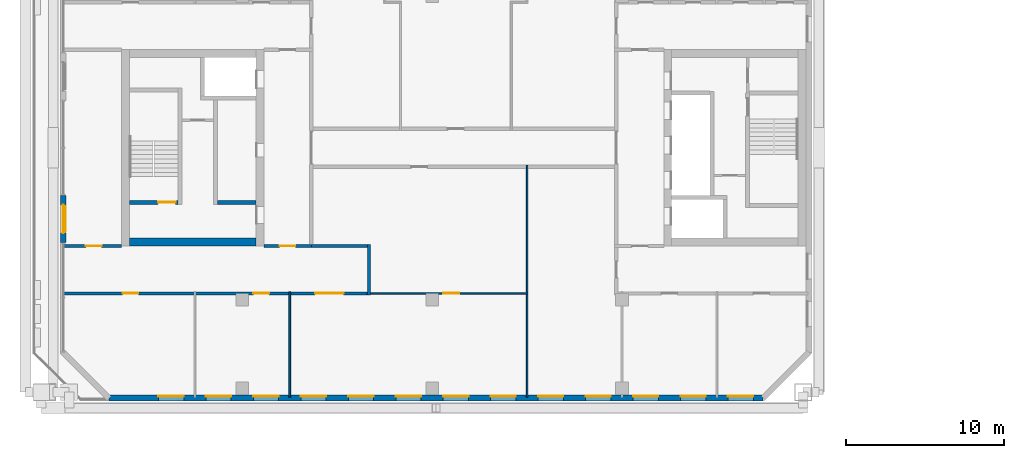
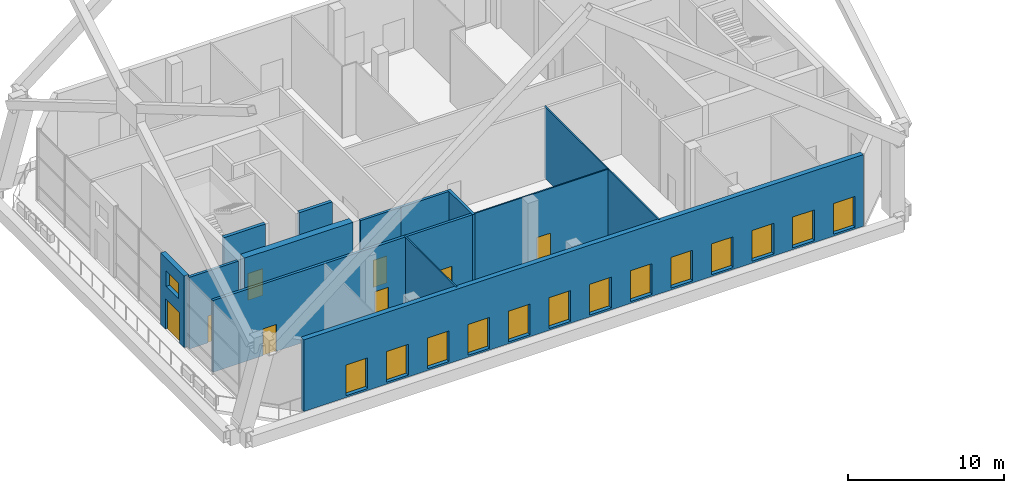
# One storey, part 9 of 20: 14 windows, 13 walls, 8 doors, 22 openings.
"""IFC4 building model written with IfcOpenShell, lengths in metres."""

from ifc_helpers import new_model, si_unit, direction, frame, frame_2d, origin, place, context, subcontext, project, spatial, rectangle, extrude, material, layer, layer_set, type_object, element, fill, save


model = new_model("IFC4")

# Units and contexts
model_context = context("Model", 3, precision=1e-05, world=origin(), true_north=direction((0.0, 1.0)))
body_context = subcontext(model_context, "Body", "Model", "MODEL_VIEW")
ifc_project = project(units=[si_unit("LENGTHUNIT", "METRE"), si_unit("AREAUNIT", "SQUARE_METRE"), si_unit("VOLUMEUNIT", "CUBIC_METRE"), si_unit("PLANEANGLEUNIT", "RADIAN"), si_unit("MASSUNIT", "GRAM", prefix="KILO")], contexts=[model_context])

# Site, building, storey
site_placement = place(None, origin())
site = spatial("IfcSite", under=ifc_project, at=site_placement, CompositionType="ELEMENT")
building_placement = place(site_placement, origin())
building = spatial("IfcBuilding", under=site, at=building_placement, Name="Tuart Gate Housing", CompositionType="ELEMENT")
storey_placement = place(building_placement, frame((0.0, 0.0, 142.300048828125)))
storey = spatial("IfcBuildingStorey", under=building, at=storey_placement, Name="L40", CompositionType="ELEMENT", Elevation=142.300048828125)

# Wall, openings, windows
ifc_material_1 = material(Name="Brick", Category="masonry")
ifc_layer_1 = layer(ifc_material_1, 0.360107421875)
ifc_layer_set_1 = layer_set([ifc_layer_1], Name="Brick pier and spandrel wall 360")
wall_type_1 = type_object("IfcWallType", Name="Brick pier and spandrel wall 360", PredefinedType="STANDARD", material=ifc_layer_set_1)
wall_1_placement = place(storey_placement, frame((31.57470703125, 54.179931640625, 0.0), z_axis=(0.0, 0.0, 1.0), x_axis=(1.0, 0.0, 0.0)))
wall_1 = element("IfcWall", 1, at=wall_1_placement, inside=storey, type_object=wall_type_1, Name="External wall A-S L40", PredefinedType="STANDARD", context=body_context, shape_type="SweptSolid", body=[
    extrude(rectangle(XDim=41.350830078125, YDim=0.360107421875, at=frame_2d((20.67529296875, 0.0))), origin(), (0.0, 0.0, 1.0), 5.599853515625),
])
opening_1_placement = place(wall_1_placement, frame((3.12548828125, 0.0, 0.14990234375)))
opening_1 = element("IfcOpeningElement", 2, at=opening_1_placement, cuts=wall_1, Name="Opening W2", PredefinedType="OPENING", context=body_context, shape_type="SweptSolid", body=[
    extrude(rectangle(XDim=1.60009765625, YDim=2.39990234375, at=frame_2d((0.800048828125, 1.199951171875))), frame((0.0, 0.18994140625, 0.0), z_axis=(0.0, -1.0, 0.0), x_axis=(1.0, 0.0, 0.0)), (0.0, 0.0, 1.0), 0.380126953125),
])
opening_2_placement = place(wall_1_placement, frame((6.12548828125, 0.0, 0.14990234375)))
opening_2 = element("IfcOpeningElement", 3, at=opening_2_placement, cuts=wall_1, Name="Opening W2", PredefinedType="OPENING", context=body_context, shape_type="SweptSolid", body=[
    extrude(rectangle(XDim=1.60009765625, YDim=2.39990234375, at=frame_2d((0.800048828125, 1.199951171875))), frame((0.0, 0.18994140625, 0.0), z_axis=(0.0, -1.0, 0.0), x_axis=(1.0, 0.0, 0.0)), (0.0, 0.0, 1.0), 0.380126953125),
])
opening_3_placement = place(wall_1_placement, frame((9.12548828125, 0.0, 0.14990234375)))
opening_3 = element("IfcOpeningElement", 4, at=opening_3_placement, cuts=wall_1, Name="Opening W2", PredefinedType="OPENING", context=body_context, shape_type="SweptSolid", body=[
    extrude(rectangle(XDim=1.60009765625, YDim=2.39990234375, at=frame_2d((0.800048828125, 1.199951171875))), frame((0.0, 0.18994140625, 0.0), z_axis=(0.0, -1.0, 0.0), x_axis=(1.0, 0.0, 0.0)), (0.0, 0.0, 1.0), 0.380126953125),
])
opening_4_placement = place(wall_1_placement, frame((12.12548828125, 0.0, 0.14990234375)))
opening_4 = element("IfcOpeningElement", 5, at=opening_4_placement, cuts=wall_1, Name="Opening W2", PredefinedType="OPENING", context=body_context, shape_type="SweptSolid", body=[
    extrude(rectangle(XDim=1.60009765625, YDim=2.39990234375, at=frame_2d((0.800048828125, 1.199951171875))), frame((0.0, 0.18994140625, 0.0), z_axis=(0.0, -1.0, 0.0), x_axis=(1.0, 0.0, 0.0)), (0.0, 0.0, 1.0), 0.380126953125),
])
opening_5_placement = place(wall_1_placement, frame((15.12548828125, 0.0, 0.14990234375)))
opening_5 = element("IfcOpeningElement", 6, at=opening_5_placement, cuts=wall_1, Name="Opening W2", PredefinedType="OPENING", context=body_context, shape_type="SweptSolid", body=[
    extrude(rectangle(XDim=1.60009765625, YDim=2.39990234375, at=frame_2d((0.800048828125, 1.199951171875))), frame((0.0, 0.18994140625, 0.0), z_axis=(0.0, -1.0, 0.0), x_axis=(1.0, 0.0, 0.0)), (0.0, 0.0, 1.0), 0.380126953125),
])
opening_6_placement = place(wall_1_placement, frame((18.12548828125, 0.0, 0.14990234375)))
opening_6 = element("IfcOpeningElement", 7, at=opening_6_placement, cuts=wall_1, Name="Opening W2", PredefinedType="OPENING", context=body_context, shape_type="SweptSolid", body=[
    extrude(rectangle(XDim=1.60009765625, YDim=2.39990234375, at=frame_2d((0.800048828125, 1.199951171875))), frame((0.0, 0.18994140625, 0.0), z_axis=(0.0, -1.0, 0.0), x_axis=(1.0, 0.0, 0.0)), (0.0, 0.0, 1.0), 0.380126953125),
])
opening_7_placement = place(wall_1_placement, frame((21.12548828125, 0.0, 0.14990234375)))
opening_7 = element("IfcOpeningElement", 8, at=opening_7_placement, cuts=wall_1, Name="Opening W2", PredefinedType="OPENING", context=body_context, shape_type="SweptSolid", body=[
    extrude(rectangle(XDim=1.60009765625, YDim=2.39990234375, at=frame_2d((0.800048828125, 1.199951171875))), frame((0.0, 0.18994140625, 0.0), z_axis=(0.0, -1.0, 0.0), x_axis=(1.0, 0.0, 0.0)), (0.0, 0.0, 1.0), 0.380126953125),
])
opening_8_placement = place(wall_1_placement, frame((24.12548828125, 0.0, 0.14990234375)))
opening_8 = element("IfcOpeningElement", 9, at=opening_8_placement, cuts=wall_1, Name="Opening W2", PredefinedType="OPENING", context=body_context, shape_type="SweptSolid", body=[
    extrude(rectangle(XDim=1.60009765625, YDim=2.39990234375, at=frame_2d((0.800048828125, 1.199951171875))), frame((0.0, 0.18994140625, 0.0), z_axis=(0.0, -1.0, 0.0), x_axis=(1.0, 0.0, 0.0)), (0.0, 0.0, 1.0), 0.380126953125),
])
opening_9_placement = place(wall_1_placement, frame((27.12548828125, 0.0, 0.14990234375)))
opening_9 = element("IfcOpeningElement", 10, at=opening_9_placement, cuts=wall_1, Name="Opening W2", PredefinedType="OPENING", context=body_context, shape_type="SweptSolid", body=[
    extrude(rectangle(XDim=1.60009765625, YDim=2.39990234375, at=frame_2d((0.800048828125, 1.199951171875))), frame((0.0, 0.18994140625, 0.0), z_axis=(0.0, -1.0, 0.0), x_axis=(1.0, 0.0, 0.0)), (0.0, 0.0, 1.0), 0.380126953125),
])
opening_10_placement = place(wall_1_placement, frame((30.12548828125, 0.0, 0.14990234375)))
opening_10 = element("IfcOpeningElement", 11, at=opening_10_placement, cuts=wall_1, Name="Opening W2", PredefinedType="OPENING", context=body_context, shape_type="SweptSolid", body=[
    extrude(rectangle(XDim=1.60009765625, YDim=2.39990234375, at=frame_2d((0.800048828125, 1.199951171875))), frame((0.0, 0.18994140625, 0.0), z_axis=(0.0, -1.0, 0.0), x_axis=(1.0, 0.0, 0.0)), (0.0, 0.0, 1.0), 0.380126953125),
])
opening_11_placement = place(wall_1_placement, frame((33.12548828125, 0.0, 0.14990234375)))
opening_11 = element("IfcOpeningElement", 12, at=opening_11_placement, cuts=wall_1, Name="Opening W2", PredefinedType="OPENING", context=body_context, shape_type="SweptSolid", body=[
    extrude(rectangle(XDim=1.60009765625, YDim=2.39990234375, at=frame_2d((0.800048828125, 1.199951171875))), frame((0.0, 0.18994140625, 0.0), z_axis=(0.0, -1.0, 0.0), x_axis=(1.0, 0.0, 0.0)), (0.0, 0.0, 1.0), 0.380126953125),
])
opening_12_placement = place(wall_1_placement, frame((36.12548828125, 0.0, 0.14990234375)))
opening_12 = element("IfcOpeningElement", 13, at=opening_12_placement, cuts=wall_1, Name="Opening W2", PredefinedType="OPENING", context=body_context, shape_type="SweptSolid", body=[
    extrude(rectangle(XDim=1.60009765625, YDim=2.39990234375, at=frame_2d((0.800048828125, 1.199951171875))), frame((0.0, 0.18994140625, 0.0), z_axis=(0.0, -1.0, 0.0), x_axis=(1.0, 0.0, 0.0)), (0.0, 0.0, 1.0), 0.380126953125),
])
opening_13_placement = place(wall_1_placement, frame((39.12548828125, 0.0, 0.14990234375)))
opening_13 = element("IfcOpeningElement", 14, at=opening_13_placement, cuts=wall_1, Name="Opening W2", PredefinedType="OPENING", context=body_context, shape_type="SweptSolid", body=[
    extrude(rectangle(XDim=1.60009765625, YDim=2.39990234375, at=frame_2d((0.800048828125, 1.199951171875))), frame((0.0, 0.18994140625, 0.0), z_axis=(0.0, -1.0, 0.0), x_axis=(1.0, 0.0, 0.0)), (0.0, 0.0, 1.0), 0.380126953125),
])
ifc_material_2 = material(Name="Aluminium frame with clear glass", Category="aluminium")
window_type_1 = type_object("IfcWindowType", Name="Garden lounge window 1600 x 2400", PartitioningType="SINGLE_PANEL", PredefinedType="WINDOW", material=ifc_material_2)
window_1_placement = place(opening_1_placement, origin())
window_1 = element("IfcWindow", 15, at=window_1_placement, inside=storey, type_object=window_type_1, Name="Window W2", OverallHeight=2.39990234375, OverallWidth=1.60009765625, PartitioningType="SINGLE_PANEL", PredefinedType="WINDOW", context=body_context, shape_type="SweptSolid", body=[
    extrude(rectangle(XDim=1.60009765625, YDim=2.39990234375, at=frame_2d((0.800048828125, 1.199951171875))), frame((0.0, 0.150146484375, 0.0), z_axis=(0.0, -1.0, 0.0), x_axis=(1.0, 0.0, 0.0)), (0.0, 0.0, 1.0), 0.06005859375),
])
fill(opening_1, window_1)
window_2_placement = place(opening_2_placement, origin())
window_2 = element("IfcWindow", 16, at=window_2_placement, inside=storey, type_object=window_type_1, Name="Window W2", OverallHeight=2.39990234375, OverallWidth=1.60009765625, PartitioningType="SINGLE_PANEL", PredefinedType="WINDOW", context=body_context, shape_type="SweptSolid", body=[
    extrude(rectangle(XDim=1.60009765625, YDim=2.39990234375, at=frame_2d((0.800048828125, 1.199951171875))), frame((0.0, 0.150146484375, 0.0), z_axis=(0.0, -1.0, 0.0), x_axis=(1.0, 0.0, 0.0)), (0.0, 0.0, 1.0), 0.06005859375),
])
fill(opening_2, window_2)
window_3_placement = place(opening_3_placement, origin())
window_3 = element("IfcWindow", 17, at=window_3_placement, inside=storey, type_object=window_type_1, Name="Window W2", OverallHeight=2.39990234375, OverallWidth=1.60009765625, PartitioningType="SINGLE_PANEL", PredefinedType="WINDOW", context=body_context, shape_type="SweptSolid", body=[
    extrude(rectangle(XDim=1.60009765625, YDim=2.39990234375, at=frame_2d((0.800048828125, 1.199951171875))), frame((0.0, 0.150146484375, 0.0), z_axis=(0.0, -1.0, 0.0), x_axis=(1.0, 0.0, 0.0)), (0.0, 0.0, 1.0), 0.06005859375),
])
fill(opening_3, window_3)
window_4_placement = place(opening_4_placement, origin())
window_4 = element("IfcWindow", 18, at=window_4_placement, inside=storey, type_object=window_type_1, Name="Window W2", OverallHeight=2.39990234375, OverallWidth=1.60009765625, PartitioningType="SINGLE_PANEL", PredefinedType="WINDOW", context=body_context, shape_type="SweptSolid", body=[
    extrude(rectangle(XDim=1.60009765625, YDim=2.39990234375, at=frame_2d((0.800048828125, 1.199951171875))), frame((0.0, 0.150146484375, 0.0), z_axis=(0.0, -1.0, 0.0), x_axis=(1.0, 0.0, 0.0)), (0.0, 0.0, 1.0), 0.06005859375),
])
fill(opening_4, window_4)
window_5_placement = place(opening_5_placement, origin())
window_5 = element("IfcWindow", 19, at=window_5_placement, inside=storey, type_object=window_type_1, Name="Window W2", OverallHeight=2.39990234375, OverallWidth=1.60009765625, PartitioningType="SINGLE_PANEL", PredefinedType="WINDOW", context=body_context, shape_type="SweptSolid", body=[
    extrude(rectangle(XDim=1.60009765625, YDim=2.39990234375, at=frame_2d((0.800048828125, 1.199951171875))), frame((0.0, 0.150146484375, 0.0), z_axis=(0.0, -1.0, 0.0), x_axis=(1.0, 0.0, 0.0)), (0.0, 0.0, 1.0), 0.06005859375),
])
fill(opening_5, window_5)
window_6_placement = place(opening_6_placement, origin())
window_6 = element("IfcWindow", 20, at=window_6_placement, inside=storey, type_object=window_type_1, Name="Window W2", OverallHeight=2.39990234375, OverallWidth=1.60009765625, PartitioningType="SINGLE_PANEL", PredefinedType="WINDOW", context=body_context, shape_type="SweptSolid", body=[
    extrude(rectangle(XDim=1.60009765625, YDim=2.39990234375, at=frame_2d((0.800048828125, 1.199951171875))), frame((0.0, 0.150146484375, 0.0), z_axis=(0.0, -1.0, 0.0), x_axis=(1.0, 0.0, 0.0)), (0.0, 0.0, 1.0), 0.06005859375),
])
fill(opening_6, window_6)
window_7_placement = place(opening_7_placement, origin())
window_7 = element("IfcWindow", 21, at=window_7_placement, inside=storey, type_object=window_type_1, Name="Window W2", OverallHeight=2.39990234375, OverallWidth=1.60009765625, PartitioningType="SINGLE_PANEL", PredefinedType="WINDOW", context=body_context, shape_type="SweptSolid", body=[
    extrude(rectangle(XDim=1.60009765625, YDim=2.39990234375, at=frame_2d((0.800048828125, 1.199951171875))), frame((0.0, 0.150146484375, 0.0), z_axis=(0.0, -1.0, 0.0), x_axis=(1.0, 0.0, 0.0)), (0.0, 0.0, 1.0), 0.06005859375),
])
fill(opening_7, window_7)
window_8_placement = place(opening_8_placement, origin())
window_8 = element("IfcWindow", 22, at=window_8_placement, inside=storey, type_object=window_type_1, Name="Window W2", OverallHeight=2.39990234375, OverallWidth=1.60009765625, PartitioningType="SINGLE_PANEL", PredefinedType="WINDOW", context=body_context, shape_type="SweptSolid", body=[
    extrude(rectangle(XDim=1.60009765625, YDim=2.39990234375, at=frame_2d((0.800048828125, 1.199951171875))), frame((0.0, 0.150146484375, 0.0), z_axis=(0.0, -1.0, 0.0), x_axis=(1.0, 0.0, 0.0)), (0.0, 0.0, 1.0), 0.06005859375),
])
fill(opening_8, window_8)
window_9_placement = place(opening_9_placement, origin())
window_9 = element("IfcWindow", 23, at=window_9_placement, inside=storey, type_object=window_type_1, Name="Window W2", OverallHeight=2.39990234375, OverallWidth=1.60009765625, PartitioningType="SINGLE_PANEL", PredefinedType="WINDOW", context=body_context, shape_type="SweptSolid", body=[
    extrude(rectangle(XDim=1.60009765625, YDim=2.39990234375, at=frame_2d((0.800048828125, 1.199951171875))), frame((0.0, 0.150146484375, 0.0), z_axis=(0.0, -1.0, 0.0), x_axis=(1.0, 0.0, 0.0)), (0.0, 0.0, 1.0), 0.06005859375),
])
fill(opening_9, window_9)
window_10_placement = place(opening_10_placement, origin())
window_10 = element("IfcWindow", 24, at=window_10_placement, inside=storey, type_object=window_type_1, Name="Window W2", OverallHeight=2.39990234375, OverallWidth=1.60009765625, PartitioningType="SINGLE_PANEL", PredefinedType="WINDOW", context=body_context, shape_type="SweptSolid", body=[
    extrude(rectangle(XDim=1.60009765625, YDim=2.39990234375, at=frame_2d((0.800048828125, 1.199951171875))), frame((0.0, 0.150146484375, 0.0), z_axis=(0.0, -1.0, 0.0), x_axis=(1.0, 0.0, 0.0)), (0.0, 0.0, 1.0), 0.06005859375),
])
fill(opening_10, window_10)
window_11_placement = place(opening_11_placement, origin())
window_11 = element("IfcWindow", 25, at=window_11_placement, inside=storey, type_object=window_type_1, Name="Window W2", OverallHeight=2.39990234375, OverallWidth=1.60009765625, PartitioningType="SINGLE_PANEL", PredefinedType="WINDOW", context=body_context, shape_type="SweptSolid", body=[
    extrude(rectangle(XDim=1.60009765625, YDim=2.39990234375, at=frame_2d((0.800048828125, 1.199951171875))), frame((0.0, 0.150146484375, 0.0), z_axis=(0.0, -1.0, 0.0), x_axis=(1.0, 0.0, 0.0)), (0.0, 0.0, 1.0), 0.06005859375),
])
fill(opening_11, window_11)
window_12_placement = place(opening_12_placement, origin())
window_12 = element("IfcWindow", 26, at=window_12_placement, inside=storey, type_object=window_type_1, Name="Window W2", OverallHeight=2.39990234375, OverallWidth=1.60009765625, PartitioningType="SINGLE_PANEL", PredefinedType="WINDOW", context=body_context, shape_type="SweptSolid", body=[
    extrude(rectangle(XDim=1.60009765625, YDim=2.39990234375, at=frame_2d((0.800048828125, 1.199951171875))), frame((0.0, 0.150146484375, 0.0), z_axis=(0.0, -1.0, 0.0), x_axis=(1.0, 0.0, 0.0)), (0.0, 0.0, 1.0), 0.06005859375),
])
fill(opening_12, window_12)
window_13_placement = place(opening_13_placement, origin())
window_13 = element("IfcWindow", 27, at=window_13_placement, inside=storey, type_object=window_type_1, Name="Window W2", OverallHeight=2.39990234375, OverallWidth=1.60009765625, PartitioningType="SINGLE_PANEL", PredefinedType="WINDOW", context=body_context, shape_type="SweptSolid", body=[
    extrude(rectangle(XDim=1.60009765625, YDim=2.39990234375, at=frame_2d((0.800048828125, 1.199951171875))), frame((0.0, 0.150146484375, 0.0), z_axis=(0.0, -1.0, 0.0), x_axis=(1.0, 0.0, 0.0)), (0.0, 0.0, 1.0), 0.06005859375),
])
fill(opening_13, window_13)

# Wall, openings, door, window
wall_2_placement = place(storey_placement, frame((28.679931640625, 67.0, 0.0), z_axis=(0.0, 0.0, 1.0), x_axis=(0.0, -1.0, 0.0)))
wall_2 = element("IfcWall", 28, at=wall_2_placement, inside=storey, type_object=wall_type_1, Name="External wall A-W L40", PredefinedType="STANDARD", context=body_context, shape_type="SweptSolid", body=[
    extrude(rectangle(XDim=3.0, YDim=0.360107421875, at=frame_2d((1.5, 0.0))), origin(), (0.0, 0.0, 1.0), 5.599853515625),
])
opening_14_placement = place(wall_2_placement, frame((0.699951171875, 0.0, 3.39990234375)))
opening_14 = element("IfcOpeningElement", 29, at=opening_14_placement, cuts=wall_2, Name="Opening W3", PredefinedType="OPENING", context=body_context, shape_type="SweptSolid", body=[
    extrude(rectangle(XDim=1.60009765625, YDim=1.199951171875, at=frame_2d((0.800048828125, 0.60009765625))), frame((0.0, 0.18994140625, 0.0), z_axis=(0.0, -1.0, 0.0), x_axis=(1.0, 0.0, 0.0)), (0.0, 0.0, 1.0), 0.380126953125),
])
opening_15_placement = place(wall_2_placement, frame((0.60009765625, 0.0, 0.0)))
opening_15 = element("IfcOpeningElement", 30, at=opening_15_placement, cuts=wall_2, Name="Opening D2952", PredefinedType="OPENING", context=body_context, shape_type="SweptSolid", body=[
    extrude(rectangle(XDim=1.800048828125, YDim=2.39990234375, at=frame_2d((0.89990234375, 1.199951171875))), frame((0.0, 0.18994140625, 0.0), z_axis=(0.0, -1.0, 0.0), x_axis=(1.0, 0.0, 0.0)), (0.0, 0.0, 1.0), 0.380126953125),
])
ifc_material_3 = material(Name="Aluminium framed glazed door", Category="aluminium")
door_type_1 = type_object("IfcDoorType", Name="Entrance door 1800 x 2400", OperationType="DOUBLE_DOOR_SINGLE_SWING", PredefinedType="DOOR", material=ifc_material_3)
door_1_placement = place(opening_15_placement, frame((1.800048828125, 0.0, 0.0), z_axis=(0.0, 0.0, 1.0), x_axis=(-1.0, 0.0, 0.0)))
door_1 = element("IfcDoor", 31, at=door_1_placement, inside=storey, type_object=door_type_1, Name="Leg A terrace door L40 2", OperationType="DOUBLE_DOOR_SINGLE_SWING", OverallHeight=2.39990234375, OverallWidth=1.800048828125, PredefinedType="DOOR", context=body_context, shape_type="SweptSolid", body=[
    extrude(rectangle(XDim=1.800048828125, YDim=2.39990234375, at=frame_2d((0.900146484375, 1.199951171875))), frame((0.0, 0.025146484375, 0.0), z_axis=(0.0, -1.0, 0.0), x_axis=(1.0, 0.0, 0.0)), (0.0, 0.0, 1.0), 0.050048828125),
])
fill(opening_15, door_1)
ifc_material_4 = material(Name="Aluminium louvre blades", Category="aluminium")
window_type_2 = type_object("IfcWindowType", Name="Louvre window 1600 x 1200", PartitioningType="DOUBLE_PANEL_HORIZONTAL", PredefinedType="WINDOW", material=ifc_material_4)
window_14_placement = place(opening_14_placement, origin())
window_14 = element("IfcWindow", 32, at=window_14_placement, inside=storey, type_object=window_type_2, Name="Louvre W3", OverallHeight=1.199951171875, OverallWidth=1.60009765625, PartitioningType="DOUBLE_PANEL_HORIZONTAL", PredefinedType="WINDOW", context=body_context, shape_type="SweptSolid", body=[
    extrude(rectangle(XDim=1.60009765625, YDim=1.199951171875, at=frame_2d((0.800048828125, 0.60009765625))), frame((0.0, 0.150146484375, 0.0), z_axis=(0.0, -1.0, 0.0), x_axis=(1.0, 0.0, 0.0)), (0.0, 0.0, 1.0), 0.06005859375),
])
fill(opening_14, window_14)

# Wall
ifc_material_5 = material(Name="Concrete C40", Category="concrete")
ifc_layer_2 = layer(ifc_material_5, 0.25)
ifc_layer_set_2 = layer_set([ifc_layer_2], Name="Core wall 250 C40")
wall_type_2 = type_object("IfcWallType", Name="Core wall 250 C40", PredefinedType="SHEAR", material=ifc_layer_set_2)
wall_3_placement = place(storey_placement, frame((40.860107421875, 66.550048828125, 0.0), z_axis=(0.0, 0.0, 1.0), x_axis=(-1.0, 0.0, 0.0)))
element("IfcWall", 33, at=wall_3_placement, inside=storey, type_object=wall_type_2, Name="Core wall AK.4", PredefinedType="SHEAR", context=body_context, shape_type="SweptSolid", body=[
    extrude(rectangle(XDim=2.425048828125, YDim=0.25, at=frame_2d((1.21240234375, 0.0))), origin(), (0.0, 0.0, 1.0), 5.599853515625),
])

# Wall, opening, door
wall_4_placement = place(storey_placement, frame((35.93505859375, 66.550048828125, 0.0), z_axis=(0.0, 0.0, 1.0), x_axis=(-1.0, 0.0, 0.0)))
wall_4 = element("IfcWall", 34, at=wall_4_placement, inside=storey, type_object=wall_type_2, Name="Core wall AK.5", PredefinedType="SHEAR", context=body_context, shape_type="SweptSolid", body=[
    extrude(rectangle(XDim=3.074951171875, YDim=0.25, at=frame_2d((1.53759765625, 0.0))), origin(), (0.0, 0.0, 1.0), 5.599853515625),
])
opening_16_placement = place(wall_4_placement, frame((0.14990234375, 0.0, 0.0)))
opening_16 = element("IfcOpeningElement", 35, at=opening_16_placement, cuts=wall_4, Name="Opening D2951", PredefinedType="OPENING", context=body_context, shape_type="SweptSolid", body=[
    extrude(rectangle(XDim=1.10009765625, YDim=2.10009765625, at=frame_2d((0.550048828125, 1.050048828125))), frame((0.0, 0.135009765625, 0.0), z_axis=(0.0, -1.0, 0.0), x_axis=(1.0, 0.0, 0.0)), (0.0, 0.0, 1.0), 0.27001953125),
])
ifc_material_6 = material(Name="Steel fire door", Category="steel")
door_type_2 = type_object("IfcDoorType", Name="Stair door 1100 x 2100 RH", OperationType="SINGLE_SWING_RIGHT", PredefinedType="DOOR", material=ifc_material_6)
door_2_placement = place(opening_16_placement, frame((1.10009765625, 0.0, 0.0), z_axis=(0.0, 0.0, 1.0), x_axis=(-1.0, 0.0, 0.0)))
door_2 = element("IfcDoor", 36, at=door_2_placement, inside=storey, type_object=door_type_2, Name="Stair door AK.SD", OperationType="SINGLE_SWING_RIGHT", OverallHeight=2.10009765625, OverallWidth=1.10009765625, PredefinedType="DOOR", context=body_context, shape_type="SweptSolid", body=[
    extrude(rectangle(XDim=1.10009765625, YDim=2.10009765625, at=frame_2d((0.550048828125, 1.050048828125))), frame((0.0, 0.025146484375, 0.0), z_axis=(0.0, -1.0, 0.0), x_axis=(1.0, 0.0, 0.0)), (0.0, 0.0, 1.0), 0.050048828125),
])
fill(opening_16, door_2)

# Wall
ifc_material_7 = material(Name="Concrete C40", Category="concrete")
ifc_layer_3 = layer(ifc_material_7, 0.5)
ifc_layer_set_3 = layer_set([ifc_layer_3], Name="Core wall 500 C40")
wall_type_3 = type_object("IfcWallType", Name="Core wall 500 C40", PredefinedType="SHEAR", material=ifc_layer_set_3)
wall_5_placement = place(storey_placement, frame((40.860107421875, 64.050048828125, 0.0), z_axis=(0.0, 0.0, 1.0), x_axis=(-1.0, 0.0, 0.0)))
element("IfcWall", 37, at=wall_5_placement, inside=storey, type_object=wall_type_3, Name="Core wall AK north", PredefinedType="SHEAR", context=body_context, shape_type="SweptSolid", body=[
    extrude(rectangle(XDim=8.0, YDim=0.5, at=frame_2d((4.0, 0.0))), origin(), (0.0, 0.0, 1.0), 5.599853515625),
])

# Wall, openings, doors
ifc_material_8 = material(Name="Concrete masonry 15 MPa", Category="masonry")
ifc_layer_4 = layer(ifc_material_8, 0.199951171875)
ifc_layer_set_4 = layer_set([ifc_layer_4], Name="Corridor wall masonry 200")
wall_type_4 = type_object("IfcWallType", Name="Corridor wall masonry 200", PredefinedType="PARTITIONING", material=ifc_layer_set_4)
wall_6_placement = place(storey_placement, frame((28.739990234375, 60.800048828125, 0.0), z_axis=(0.0, 0.0, 1.0), x_axis=(1.0, 0.0, 0.0)))
wall_6 = element("IfcWall", 38, at=wall_6_placement, inside=storey, type_object=wall_type_4, Name="Corridor wall masonry 200", PredefinedType="PARTITIONING", context=body_context, shape_type="SweptSolid", body=[
    extrude(rectangle(XDim=19.362060546875, YDim=0.199951171875, at=frame_2d((9.68115234375, 0.0))), origin(), (0.0, 0.0, 1.0), 5.599853515625),
])
opening_17_placement = place(wall_6_placement, frame((3.68994140625, 0.0, 0.0)))
opening_17 = element("IfcOpeningElement", 39, at=opening_17_placement, cuts=wall_6, Name="Opening D2958", PredefinedType="OPENING", context=body_context, shape_type="SweptSolid", body=[
    extrude(rectangle(XDim=1.0, YDim=2.10009765625, at=frame_2d((0.5, 1.050048828125))), frame((0.0, 0.10986328125, 0.0), z_axis=(0.0, -1.0, 0.0), x_axis=(1.0, 0.0, 0.0)), (0.0, 0.0, 1.0), 0.219970703125),
])
opening_18_placement = place(wall_6_placement, frame((11.9599609375, 0.0, 0.0)))
opening_18 = element("IfcOpeningElement", 40, at=opening_18_placement, cuts=wall_6, Name="Opening D2959", PredefinedType="OPENING", context=body_context, shape_type="SweptSolid", body=[
    extrude(rectangle(XDim=1.0, YDim=2.10009765625, at=frame_2d((0.5, 1.050048828125))), frame((0.0, 0.10986328125, 0.0), z_axis=(0.0, -1.0, 0.0), x_axis=(1.0, 0.0, 0.0)), (0.0, 0.0, 1.0), 0.219970703125),
])
opening_19_placement = place(wall_6_placement, frame((15.861083984375, 0.0, 0.0)))
opening_19 = element("IfcOpeningElement", 41, at=opening_19_placement, cuts=wall_6, Name="Opening D2957", PredefinedType="OPENING", context=body_context, shape_type="SweptSolid", body=[
    extrude(rectangle(XDim=1.800048828125, YDim=2.10009765625, at=frame_2d((0.89990234375, 1.050048828125))), frame((0.0, 0.10986328125, 0.0), z_axis=(0.0, -1.0, 0.0), x_axis=(1.0, 0.0, 0.0)), (0.0, 0.0, 1.0), 0.219970703125),
])
ifc_material_9 = material(Name="Timber door leaf in steel frame", Category="steel")
door_type_3 = type_object("IfcDoorType", Name="Double door 1800", OperationType="DOUBLE_DOOR_SINGLE_SWING", PredefinedType="DOOR", material=ifc_material_9)
door_3_placement = place(opening_19_placement, frame((1.800048828125, 0.0, 0.0), z_axis=(0.0, 0.0, 1.0), x_axis=(-1.0, 0.0, 0.0)))
door_3 = element("IfcDoor", 42, at=door_3_placement, inside=storey, type_object=door_type_3, Name="Double door 1800", OperationType="DOUBLE_DOOR_SINGLE_SWING", OverallHeight=2.10009765625, OverallWidth=1.800048828125, PredefinedType="DOOR", context=body_context, shape_type="SweptSolid", body=[
    extrude(rectangle(XDim=1.800048828125, YDim=2.10009765625, at=frame_2d((0.900146484375, 1.050048828125))), frame((0.0, 0.025146484375, 0.0), z_axis=(0.0, -1.0, 0.0), x_axis=(1.0, 0.0, 0.0)), (0.0, 0.0, 1.0), 0.050048828125),
])
fill(opening_19, door_3)
ifc_material_10 = material(Name="Timber door leaf in steel frame", Category="steel")
door_type_4 = type_object("IfcDoorType", Name="Fire door 1000", OperationType="SINGLE_SWING_LEFT", PredefinedType="DOOR", material=ifc_material_10)
door_4_placement = place(opening_17_placement, frame((1.0, 0.0, 0.0), z_axis=(0.0, 0.0, 1.0), x_axis=(-1.0, 0.0, 0.0)))
door_4 = element("IfcDoor", 43, at=door_4_placement, inside=storey, type_object=door_type_4, Name="Fire door 1000", OperationType="SINGLE_SWING_LEFT", OverallHeight=2.10009765625, OverallWidth=1.0, PredefinedType="DOOR", context=body_context, shape_type="SweptSolid", body=[
    extrude(rectangle(XDim=1.0, YDim=2.10009765625, at=frame_2d((0.5, 1.050048828125))), frame((0.0, 0.025146484375, 0.0), z_axis=(0.0, -1.0, 0.0), x_axis=(1.0, 0.0, 0.0)), (0.0, 0.0, 1.0), 0.050048828125),
])
fill(opening_17, door_4)
door_5_placement = place(opening_18_placement, frame((1.0, 0.0, 0.0), z_axis=(0.0, 0.0, 1.0), x_axis=(-1.0, 0.0, 0.0)))
door_5 = element("IfcDoor", 44, at=door_5_placement, inside=storey, type_object=door_type_4, Name="Fire door 1000", OperationType="SINGLE_SWING_LEFT", OverallHeight=2.10009765625, OverallWidth=1.0, PredefinedType="DOOR", context=body_context, shape_type="SweptSolid", body=[
    extrude(rectangle(XDim=1.0, YDim=2.10009765625, at=frame_2d((0.5, 1.050048828125))), frame((0.0, 0.025146484375, 0.0), z_axis=(0.0, -1.0, 0.0), x_axis=(1.0, 0.0, 0.0)), (0.0, 0.0, 1.0), 0.050048828125),
])
fill(opening_18, door_5)

# Wall, opening, door
wall_7_placement = place(storey_placement, frame((28.739990234375, 63.800048828125, 0.0), z_axis=(0.0, 0.0, 1.0), x_axis=(1.0, 0.0, 0.0)))
wall_7 = element("IfcWall", 45, at=wall_7_placement, inside=storey, type_object=wall_type_4, Name="Corridor wall masonry 200", PredefinedType="PARTITIONING", context=body_context, shape_type="SweptSolid", body=[
    extrude(rectangle(XDim=3.6201171875, YDim=0.199951171875, at=frame_2d((1.81005859375, 0.0))), origin(), (0.0, 0.0, 1.0), 5.599853515625),
])
opening_20_placement = place(wall_7_placement, frame((1.3701171875, 0.0, 0.0)))
opening_20 = element("IfcOpeningElement", 46, at=opening_20_placement, cuts=wall_7, Name="Opening D2953", PredefinedType="OPENING", context=body_context, shape_type="SweptSolid", body=[
    extrude(rectangle(XDim=1.0, YDim=2.10009765625, at=frame_2d((0.5, 1.050048828125))), frame((0.0, 0.10986328125, 0.0), z_axis=(0.0, -1.0, 0.0), x_axis=(1.0, 0.0, 0.0)), (0.0, 0.0, 1.0), 0.219970703125),
])
door_6_placement = place(opening_20_placement, origin())
door_6 = element("IfcDoor", 47, at=door_6_placement, inside=storey, type_object=door_type_4, Name="Fire door 1000", OperationType="SINGLE_SWING_LEFT", OverallHeight=2.10009765625, OverallWidth=1.0, PredefinedType="DOOR", context=body_context, shape_type="SweptSolid", body=[
    extrude(rectangle(XDim=1.0, YDim=2.10009765625, at=frame_2d((0.5, 1.050048828125))), frame((0.0, 0.02490234375, 0.0), z_axis=(0.0, -1.0, 0.0), x_axis=(1.0, 0.0, 0.0)), (0.0, 0.0, 1.0), 0.050048828125),
])
fill(opening_20, door_6)

# Walls
wall_8_placement = place(storey_placement, frame((44.360107421875, 63.800048828125, 0.0), z_axis=(0.0, 0.0, 1.0), x_axis=(1.0, 0.0, 0.0)))
element("IfcWall", 48, at=wall_8_placement, inside=storey, type_object=wall_type_4, Name="Corridor wall masonry 200", PredefinedType="PARTITIONING", context=body_context, shape_type="SweptSolid", body=[
    extrude(rectangle(XDim=3.739990234375, YDim=0.199951171875, at=frame_2d((1.8701171875, 0.0))), origin(), (0.0, 0.0, 1.0), 5.599853515625),
])
wall_9_placement = place(storey_placement, frame((48.0, 60.699951171875, 0.0), z_axis=(0.0, 0.0, 1.0), x_axis=(0.0, 1.0, 0.0)))
element("IfcWall", 49, at=wall_9_placement, inside=storey, type_object=wall_type_4, Name="Corridor wall masonry 200", PredefinedType="PARTITIONING", context=body_context, shape_type="SweptSolid", body=[
    extrude(rectangle(XDim=3.199951171875, YDim=0.199951171875, at=frame_2d((1.60009765625, 0.0))), origin(), (0.0, 0.0, 1.0), 5.599853515625),
])

# Wall, opening, door
ifc_material_11 = material(Name="Concrete masonry 15 MPa", Category="masonry")
ifc_layer_5 = layer(ifc_material_11, 0.199951171875)
ifc_layer_set_5 = layer_set([ifc_layer_5], Name="Enclosure wall masonry 200")
wall_type_5 = type_object("IfcWallType", Name="Enclosure wall masonry 200", PredefinedType="PARTITIONING", material=ifc_layer_set_5)
wall_10_placement = place(storey_placement, frame((41.360107421875, 63.800048828125, 0.0), z_axis=(0.0, 0.0, 1.0), x_axis=(1.0, 0.0, 0.0)))
wall_10 = element("IfcWall", 50, at=wall_10_placement, inside=storey, type_object=wall_type_5, Name="Enclosure wall masonry 200", PredefinedType="PARTITIONING", context=body_context, shape_type="SweptSolid", body=[
    extrude(rectangle(XDim=3.0, YDim=0.199951171875, at=frame_2d((1.5, 0.0))), origin(), (0.0, 0.0, 1.0), 5.599853515625),
])
opening_21_placement = place(wall_10_placement, frame((1.0, 0.0, 0.0)))
opening_21 = element("IfcOpeningElement", 51, at=opening_21_placement, cuts=wall_10, Name="Opening D2954", PredefinedType="OPENING", context=body_context, shape_type="SweptSolid", body=[
    extrude(rectangle(XDim=1.0, YDim=2.10009765625, at=frame_2d((0.5, 1.050048828125))), frame((0.0, 0.10986328125, 0.0), z_axis=(0.0, -1.0, 0.0), x_axis=(1.0, 0.0, 0.0)), (0.0, 0.0, 1.0), 0.219970703125),
])
ifc_material_12 = material(Name="Timber door leaf in steel frame", Category="steel")
door_type_5 = type_object("IfcDoorType", Name="Lobby door 1000", OperationType="SINGLE_SWING_LEFT", PredefinedType="DOOR", material=ifc_material_12)
door_7_placement = place(opening_21_placement, frame((1.0, 0.0, 0.0), z_axis=(0.0, 0.0, 1.0), x_axis=(-1.0, 0.0, 0.0)))
door_7 = element("IfcDoor", 52, at=door_7_placement, inside=storey, type_object=door_type_5, Name="Lobby door 1000", OperationType="SINGLE_SWING_LEFT", OverallHeight=2.10009765625, OverallWidth=1.0, PredefinedType="DOOR", context=body_context, shape_type="SweptSolid", body=[
    extrude(rectangle(XDim=1.0, YDim=2.10009765625, at=frame_2d((0.5, 1.050048828125))), frame((0.0, 0.025146484375, 0.0), z_axis=(0.0, -1.0, 0.0), x_axis=(1.0, 0.0, 0.0)), (0.0, 0.0, 1.0), 0.050048828125),
])
fill(opening_21, door_7)

ifc_material_13 = material(Name="Gypsum board on steel studs", Category="steel")
ifc_layer_6 = layer(ifc_material_13, 0.10009765625)
ifc_layer_set_6 = layer_set([ifc_layer_6], Name="Partition 100")
wall_type_6 = type_object("IfcWallType", Name="Partition 100", PredefinedType="PARTITIONING", material=ifc_layer_set_6)
wall_11_placement = place(storey_placement, frame((47.89990234375, 60.800048828125, 0.0), z_axis=(0.0, 0.0, 1.0), x_axis=(1.0, 0.0, 0.0)))
wall_11 = element("IfcWall", 53, at=wall_11_placement, inside=storey, type_object=wall_type_6, Name="Partition 100", PredefinedType="PARTITIONING", context=body_context, shape_type="SweptSolid", body=[
    extrude(rectangle(XDim=10.150146484375, YDim=0.10009765625, at=frame_2d((5.0751953125, 0.0))), origin(), (0.0, 0.0, 1.0), 5.599853515625),
])
opening_22_placement = place(wall_11_placement, frame((4.800048828125, 0.0, 0.0)))
opening_22 = element("IfcOpeningElement", 54, at=opening_22_placement, cuts=wall_11, Name="Opening D2960", PredefinedType="OPENING", context=body_context, shape_type="SweptSolid", body=[
    extrude(rectangle(XDim=1.0, YDim=2.10009765625, at=frame_2d((0.5, 1.050048828125))), frame((0.0, 0.06005859375, 0.0), z_axis=(0.0, -1.0, 0.0), x_axis=(1.0, 0.0, 0.0)), (0.0, 0.0, 1.0), 0.1201171875),
])
ifc_material_14 = material(Name="Timber door leaf in steel frame", Category="steel")
door_type_6 = type_object("IfcDoorType", Name="Internal door 1000 RH", OperationType="SINGLE_SWING_RIGHT", PredefinedType="DOOR", material=ifc_material_14)
door_8_placement = place(opening_22_placement, origin())
door_8 = element("IfcDoor", 55, at=door_8_placement, inside=storey, type_object=door_type_6, Name="Internal door 1000", OperationType="SINGLE_SWING_RIGHT", OverallHeight=2.10009765625, OverallWidth=1.0, PredefinedType="DOOR", context=body_context, shape_type="SweptSolid", body=[
    extrude(rectangle(XDim=1.0, YDim=2.10009765625, at=frame_2d((0.5, 1.050048828125))), frame((0.0, 0.02490234375, 0.0), z_axis=(0.0, -1.0, 0.0), x_axis=(1.0, 0.0, 0.0)), (0.0, 0.0, 1.0), 0.050048828125),
])
fill(opening_22, door_8)

# Walls
wall_12_placement = place(storey_placement, frame((43.0, 54.239990234375, 0.0), z_axis=(0.0, 0.0, 1.0), x_axis=(0.0, 1.0, 0.0)))
element("IfcWall", 56, at=wall_12_placement, inside=storey, type_object=wall_type_6, Name="Partition 100", PredefinedType="PARTITIONING", context=body_context, shape_type="SweptSolid", body=[
    extrude(rectangle(XDim=6.659912109375, YDim=0.10009765625, at=frame_2d((3.330078125, 0.0))), origin(), (0.0, 0.0, 1.0), 5.599853515625),
])
wall_13_placement = place(storey_placement, frame((58.0, 54.239990234375, 0.0), z_axis=(0.0, 0.0, 1.0), x_axis=(0.0, 1.0, 0.0)))
element("IfcWall", 57, at=wall_13_placement, inside=storey, type_object=wall_type_6, Name="Partition 100", PredefinedType="PARTITIONING", context=body_context, shape_type="SweptSolid", body=[
    extrude(rectangle(XDim=14.659912109375, YDim=0.10009765625, at=frame_2d((7.330078125, 0.0))), origin(), (0.0, 0.0, 1.0), 5.599853515625),
])

save(model, "model.ifc")
